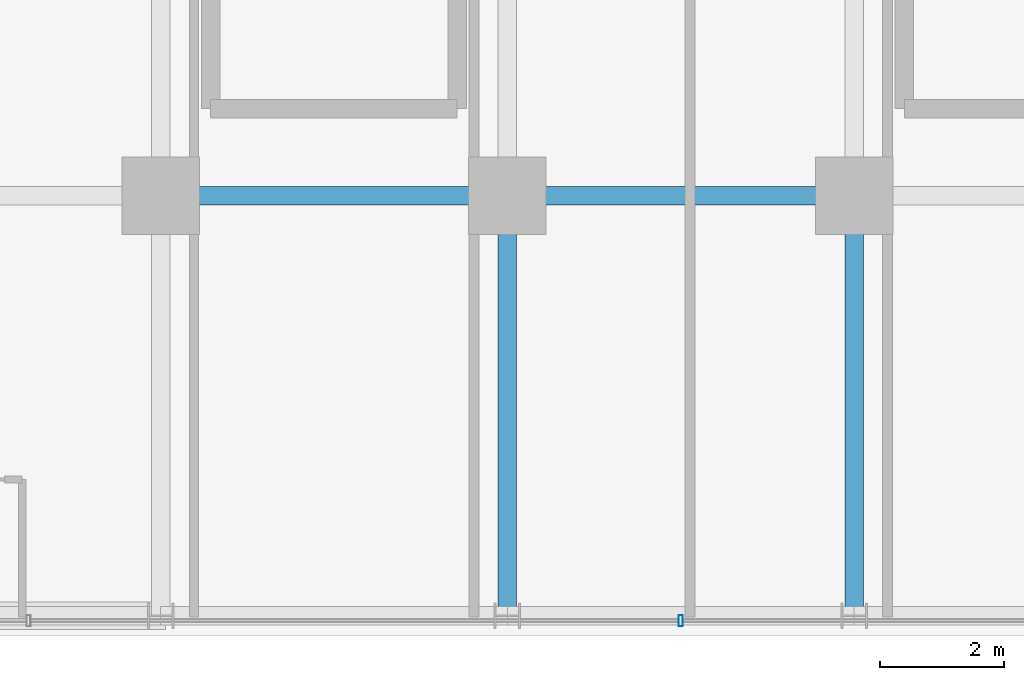
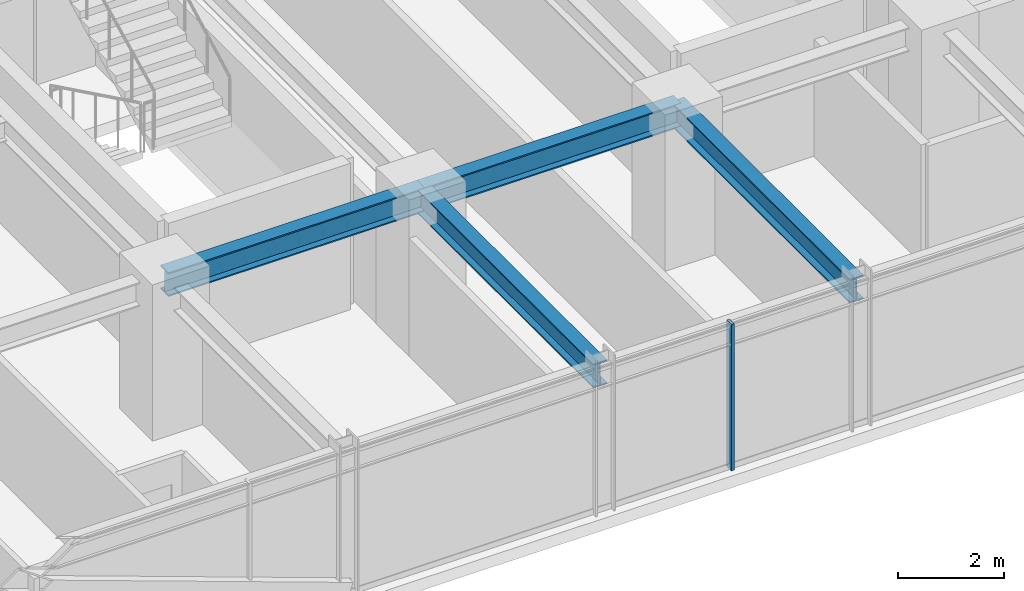
# One storey, part 6 of 34: 4 beams, 1 member, 1 element without a shape of its own.
"""IFC4 building model written with IfcOpenShell, lengths in metres."""

from ifc_helpers import new_model, si_unit, direction, frame, origin, origin_2d, place, context, subcontext, project, spatial, hollow_rectangle, i_section, extrude, source, transform, mapped, material, material_profile, profile_set, type_object, element, aggregate, save


model = new_model("IFC4")

# Units and contexts
model_context = context("Model", 3, precision=1e-05, world=origin(), true_north=direction((0.0, 1.0)))
body_context = subcontext(model_context, "Body", "Model", "MODEL_VIEW")
ifc_project = project(units=[si_unit("LENGTHUNIT", "METRE"), si_unit("AREAUNIT", "SQUARE_METRE"), si_unit("VOLUMEUNIT", "CUBIC_METRE"), si_unit("PLANEANGLEUNIT", "RADIAN"), si_unit("MASSUNIT", "GRAM", prefix="KILO")], contexts=[model_context])

# Site, building, storey
site_placement = place(None, origin())
site = spatial("IfcSite", under=ifc_project, at=site_placement, CompositionType="ELEMENT")
building_placement = place(site_placement, origin())
building = spatial("IfcBuilding", under=site, at=building_placement, Name="Nahalor Promenade Grand Hotel", CompositionType="ELEMENT")
storey_placement = place(building_placement, frame((0.0, 0.0, 99.25)))
storey = spatial("IfcBuildingStorey", under=building, at=storey_placement, Name="L24", CompositionType="ELEMENT", Elevation=99.25)

# Beams
ifc_material_1 = material(Name="Steel S355JR", Category="steel")
ifc_material_profile_1 = material_profile(ifc_material_1, i_section(OverallWidth=0.3, OverallDepth=0.55, WebThickness=0.015, FlangeThickness=0.029, at=origin_2d()), Name="HEB 550")
ifc_profile_set_1 = profile_set([ifc_material_profile_1], Name="Steel S355JR")
beam_type = type_object("IfcBeamType", Name="Beam-Girder-HEB550", PredefinedType="BEAM", material=ifc_profile_set_1)
shared_shape_1 = source(origin(), body_context, "Body", "SweptSolid", [
    extrude(i_section(OverallWidth=0.3, OverallDepth=0.55, WebThickness=0.015, FlangeThickness=0.029, at=origin_2d()), origin(), (0.0, 0.0, 1.0), 6.780029296875),
])
for number, where, z_axis, x_axis, name in (
    (1, (-2.800048828125, -23.780029296875, 3.10498046875), (0.0, 1.0, 0.0), (-1.0, 0.0, 0.0), "BM-L24-GY-2-0"),
    (2, (2.800048828125, -23.780029296875, 3.10498046875), (0.0, 1.0, 0.0), (-1.0, 0.0, 0.0), "BM-L24-GY-3-0"),
):
    element("IfcBeam", number, at=place(storey_placement, frame(where, z_axis=z_axis, x_axis=x_axis)), inside=storey, type_object=beam_type, Name=name, PredefinedType="BEAM", context=body_context, shape_type="MappedRepresentation", body=[
        mapped(shared_shape_1, transform((0.0, 0.0, 0.0), scale=1.0)),
    ])
shared_shape_2 = source(origin(), body_context, "Body", "SweptSolid", [
    extrude(i_section(OverallWidth=0.3, OverallDepth=0.55, WebThickness=0.015, FlangeThickness=0.029, at=origin_2d()), origin(), (0.0, 0.0, 1.0), 5.599853515625),
])
beam_1_placement = place(storey_placement, frame((-8.39990234375, -17.0, 3.10498046875), z_axis=(1.0, 0.0, 0.0), x_axis=(0.0, 1.0, 0.0)))
element("IfcBeam", 3, at=beam_1_placement, inside=storey, type_object=beam_type, Name="BM-L24-GX-0-2", PredefinedType="BEAM", context=body_context, shape_type="MappedRepresentation", body=[
    mapped(shared_shape_2, transform((0.0, 0.0, 0.0), scale=1.0)),
])
shared_shape_3 = source(origin(), body_context, "Body", "SweptSolid", [
    extrude(i_section(OverallWidth=0.3, OverallDepth=0.55, WebThickness=0.015, FlangeThickness=0.029, at=origin_2d()), origin(), (0.0, 0.0, 1.0), 5.60009765625),
])
beam_2_placement = place(storey_placement, frame((-2.800048828125, -17.0, 3.10498046875), z_axis=(1.0, 0.0, 0.0), x_axis=(0.0, 1.0, 0.0)))
element("IfcBeam", 4, at=beam_2_placement, inside=storey, type_object=beam_type, Name="BM-L24-GX-0-3", PredefinedType="BEAM", context=body_context, shape_type="MappedRepresentation", body=[
    mapped(shared_shape_3, transform((0.0, 0.0, 0.0), scale=1.0)),
])

# Curtain wall, member
ifc_material_2 = material(Name="Anodised Bronze Aluminium EN AW-6063 T6", Category="aluminium")
curtain_wall_type = type_object("IfcCurtainWallType", Name="CW2 Typical Hotel Flush Bronze Unitised Curtain Wall", PredefinedType="USERDEFINED", material=ifc_material_2)
curtain_wall_placement = place(storey_placement, origin())
curtain_wall = element("IfcCurtainWall", 5, at=curtain_wall_placement, inside=storey, type_object=curtain_wall_type, Name="L24 Curtain Wall CW-L24-S-1", ObjectType="UNITISED_CURTAIN_WALL", PredefinedType="USERDEFINED")
ifc_material_profile_2 = material_profile(ifc_material_2, hollow_rectangle(XDim=0.065, YDim=0.18, WallThickness=0.004, at=origin_2d()), Name="CWM 65x180x4")
ifc_profile_set_2 = profile_set([ifc_material_profile_2], Name="Anodised Bronze Aluminium EN AW-6063 T6")
member_type = type_object("IfcMemberType", Name="CWM2 Typical Bronze Mullion 65x180", PredefinedType="MULLION", material=ifc_profile_set_2)
shared_shape_4 = source(origin(), body_context, "Body", "SweptSolid", [
    extrude(hollow_rectangle(XDim=0.065, YDim=0.18, WallThickness=0.004, at=origin_2d()), origin(), (0.0, 0.0, 1.0), 3.3798828125),
])
member_placement = place(storey_placement, frame((0.0, -23.860107421875, 0.0), z_axis=(0.0, 0.0, 1.0), x_axis=(1.0, 0.0, 0.0)))
member = element("IfcMember", 6, at=member_placement, type_object=member_type, Name="CW-L24-S-1 Mullion 2", PredefinedType="MULLION", context=body_context, shape_type="MappedRepresentation", body=[
    mapped(shared_shape_4, transform((0.0, 0.0, 0.0), scale=1.0)),
])
aggregate(curtain_wall, [member])

save(model, "model.ifc")
